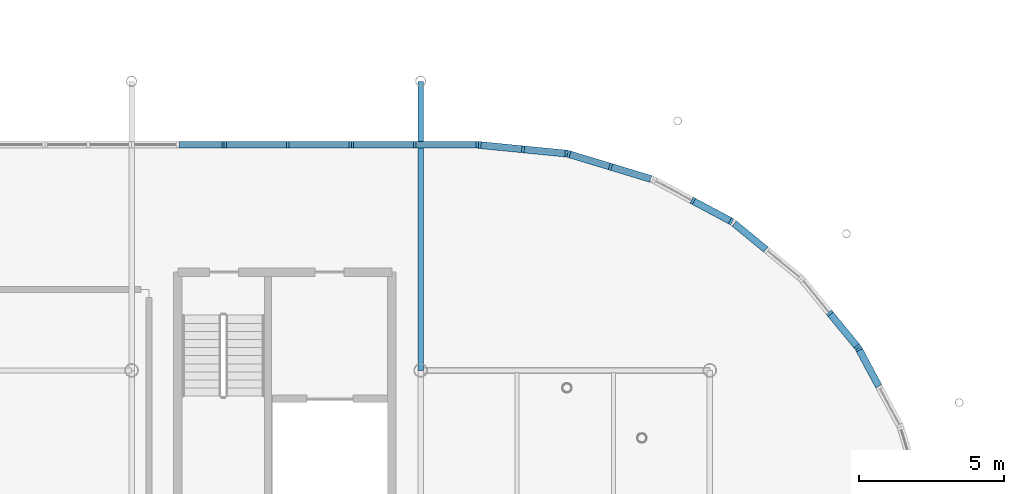
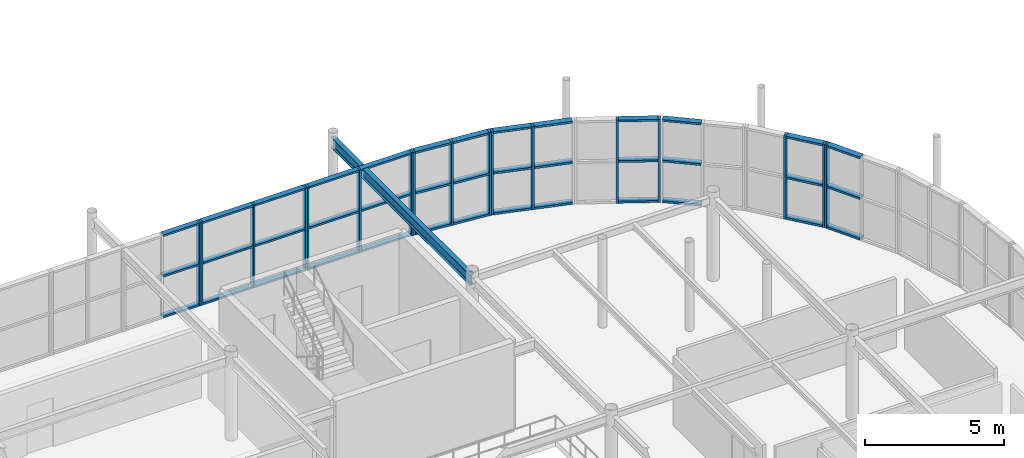
# One storey, part 61 of 98: 56 members, 1 beam, 9 elements without a shape of their own.
"""IFC4 building model written with IfcOpenShell, lengths in metres."""

from ifc_helpers import new_model, si_unit, derived_unit, direction, frame, origin, origin_2d_with_axis, place, context, subcontext, project, spatial, rectangle, i_section, extrude, material, material_profile, profile_set, type_object, element, aggregate, save


model = new_model("IFC4")

# Units and contexts
model_context = context("Model", 3, precision=1e-05, world=origin(), true_north=direction((0.0, 1.0)))
body_context = subcontext(model_context, "Body", "Model", "MODEL_VIEW")
ifc_project = project(units=[si_unit("LENGTHUNIT", "METRE"), si_unit("AREAUNIT", "SQUARE_METRE"), si_unit("VOLUMEUNIT", "CUBIC_METRE"), si_unit("PLANEANGLEUNIT", "RADIAN"), si_unit("MASSUNIT", "GRAM", prefix="KILO"), derived_unit("THERMALTRANSMITTANCEUNIT", [(si_unit("POWERUNIT", "WATT"), 1), (si_unit("LENGTHUNIT", "METRE"), -2), (si_unit("THERMODYNAMICTEMPERATUREUNIT", "KELVIN"), -1)])], contexts=[model_context])

# Site, building, storey
site_placement = place(None, origin())
site = spatial("IfcSite", under=ifc_project, at=site_placement, CompositionType="ELEMENT")
building_placement = place(site_placement, origin())
building = spatial("IfcBuilding", under=site, at=building_placement, Name="Cinnabar Yard Market Hall", CompositionType="ELEMENT")
storey_placement = place(building_placement, frame((0.0, 0.0, 4.5)))
storey = spatial("IfcBuildingStorey", under=building, at=storey_placement, Name="L01", CompositionType="ELEMENT", Elevation=4.5)

# Beam
ifc_material_1 = material(Name="Steel Grade 300 (300 MPa)", Category="steel")
ifc_material_profile_1 = material_profile(ifc_material_1, i_section(OverallWidth=0.18994140625, OverallDepth=0.453857421875, WebThickness=0.008544921875, FlangeThickness=0.0126953125, FilletRadius=0.011474609375, at=origin_2d_with_axis()), Name="460UB67.1")
ifc_profile_set_1 = profile_set([ifc_material_profile_1], Name="Steel Grade 300 (300 MPa)")
beam_type = type_object("IfcBeamType", Name="BM-B05E", PredefinedType="BEAM", material=ifc_profile_set_1)
beam_placement = place(storey_placement, frame((146.0, 64.0, 3.423095703125), z_axis=(0.0, 1.0, 0.0), x_axis=(-1.0, 0.0, 0.0)))
element("IfcBeam", 1, at=beam_placement, inside=storey, type_object=beam_type, Name="L01 Gallery North Tie 00300", PredefinedType="BEAM", context=body_context, shape_type="SweptSolid", body=[
    extrude(i_section(OverallWidth=0.18994140625, OverallDepth=0.453857421875, WebThickness=0.008544921875, FlangeThickness=0.0126953125, FilletRadius=0.011474609375, at=origin_2d_with_axis()), origin(), (0.0, 0.0, 1.0), 10.0),
])

# Curtain wall, member
ifc_material_2 = material(Name="Anodised bronze aluminium curved-chord facade", Category="aluminium")
curtain_wall_type_1 = type_object("IfcCurtainWallType", Name="CW-CWC031x36", PredefinedType="NOTDEFINED", material=ifc_material_2)
curtain_wall_1_placement = place(storey_placement, origin())
curtain_wall_1 = element("IfcCurtainWall", 2, at=curtain_wall_1_placement, inside=storey, type_object=curtain_wall_type_1, Name="Corner NE Chord 3 L01", PredefinedType="NOTDEFINED")
ifc_material_3 = material(Name="Anodised bronze aluminium", Category="aluminium")
ifc_material_profile_2 = material_profile(ifc_material_3, rectangle(XDim=0.239990234375, YDim=0.090087890625, at=origin_2d_with_axis()), Name="MUL-CWC")
ifc_profile_set_2 = profile_set([ifc_material_profile_2], Name="Anodised bronze aluminium")
member_type_1 = type_object("IfcMemberType", Name="CWM-CWC", PredefinedType="MULLION", material=ifc_profile_set_2)
member_1_placement = place(storey_placement, frame((161.158447265625, 64.73828125, 0.0), z_axis=(0.0, 0.0, 1.0), x_axis=(-0.881917320707, -0.471404114786, 0.0)))
member_1 = element("IfcMember", 3, at=member_1_placement, type_object=member_type_1, Name="CWC031x36 mullion 3", PredefinedType="MULLION", context=body_context, shape_type="SweptSolid", body=[
    extrude(rectangle(XDim=0.239990234375, YDim=0.090087890625, at=origin_2d_with_axis()), origin(), (0.0, 0.0, 1.0), 3.64990234375),
])

# Curtain wall, members
curtain_wall_2_placement = place(storey_placement, origin())
curtain_wall_2 = element("IfcCurtainWall", 4, at=curtain_wall_2_placement, inside=storey, type_object=curtain_wall_type_1, Name="Corner NE Chord 4 L01", PredefinedType="NOTDEFINED")
member_2_placement = place(storey_placement, frame((161.108642578125, 64.812744140625, 0.0), z_axis=(0.0, 0.0, 1.0), x_axis=(-0.773018564222, -0.634383400924, 0.0)))
member_2 = element("IfcMember", 5, at=member_2_placement, type_object=member_type_1, Name="CWC031x36 mullion 1", PredefinedType="MULLION", context=body_context, shape_type="SweptSolid", body=[
    extrude(rectangle(XDim=0.239990234375, YDim=0.090087890625, at=origin_2d_with_axis()), origin(), (0.0, 0.0, 1.0), 3.64990234375),
])
member_3_placement = place(storey_placement, frame((160.15478515625, 65.97509765625, 0.0), z_axis=(0.0, 0.0, 1.0), x_axis=(-0.773018564222, -0.634383400924, 0.0)))
member_3 = element("IfcMember", 6, at=member_3_placement, type_object=member_type_1, Name="CWC031x36 mullion 2", PredefinedType="MULLION", context=body_context, shape_type="SweptSolid", body=[
    extrude(rectangle(XDim=0.239990234375, YDim=0.090087890625, at=origin_2d_with_axis()), origin(), (0.0, 0.0, 1.0), 3.64990234375),
])

curtain_wall_3_placement = place(storey_placement, origin())
curtain_wall_3 = element("IfcCurtainWall", 7, at=curtain_wall_3_placement, inside=storey, type_object=curtain_wall_type_1, Name="Corner NE Chord 6 L01", PredefinedType="NOTDEFINED")
member_4_placement = place(storey_placement, frame((156.73828125, 69.158447265625, 0.0), z_axis=(0.0, 0.0, 1.0), x_axis=(-0.471404114786, -0.881917320707, 0.0)))
member_4 = element("IfcMember", 8, at=member_4_placement, type_object=member_type_1, Name="CWC031x36 mullion 1", PredefinedType="MULLION", context=body_context, shape_type="SweptSolid", body=[
    extrude(rectangle(XDim=0.239990234375, YDim=0.090087890625, at=origin_2d_with_axis()), origin(), (0.0, 0.0, 1.0), 3.64990234375),
])
member_5_placement = place(storey_placement, frame((155.412109375, 69.8671875, 0.0), z_axis=(0.0, 0.0, 1.0), x_axis=(-0.471404114786, -0.881917320707, 0.0)))
member_5 = element("IfcMember", 9, at=member_5_placement, type_object=member_type_1, Name="CWC031x36 mullion 2", PredefinedType="MULLION", context=body_context, shape_type="SweptSolid", body=[
    extrude(rectangle(XDim=0.239990234375, YDim=0.090087890625, at=origin_2d_with_axis()), origin(), (0.0, 0.0, 1.0), 3.64990234375),
])

curtain_wall_4_placement = place(storey_placement, origin())
curtain_wall_4 = element("IfcCurtainWall", 10, at=curtain_wall_4_placement, inside=storey, type_object=curtain_wall_type_1, Name="Corner NE Chord 7 L01", PredefinedType="NOTDEFINED")
member_6_placement = place(storey_placement, frame((152.564453125, 71.046875, 0.0), z_axis=(0.0, 0.0, 1.0), x_axis=(-0.290278891325, -0.956942090856, 0.0)))
member_6 = element("IfcMember", 11, at=member_6_placement, type_object=member_type_1, Name="CWC031x36 mullion 2", PredefinedType="MULLION", context=body_context, shape_type="SweptSolid", body=[
    extrude(rectangle(XDim=0.239990234375, YDim=0.090087890625, at=origin_2d_with_axis()), origin(), (0.0, 0.0, 1.0), 3.64990234375),
])
member_7_placement = place(storey_placement, frame((151.12548828125, 71.4833984375, 0.0), z_axis=(0.0, 0.0, 1.0), x_axis=(-0.290278891325, -0.956942090856, 0.0)))
member_7 = element("IfcMember", 12, at=member_7_placement, type_object=member_type_1, Name="CWC031x36 mullion 3", PredefinedType="MULLION", context=body_context, shape_type="SweptSolid", body=[
    extrude(rectangle(XDim=0.239990234375, YDim=0.090087890625, at=origin_2d_with_axis()), origin(), (0.0, 0.0, 1.0), 3.64990234375),
])

curtain_wall_5_placement = place(storey_placement, origin())
curtain_wall_5 = element("IfcCurtainWall", 13, at=curtain_wall_5_placement, inside=storey, type_object=curtain_wall_type_1, Name="Corner NE Chord 8 L01", PredefinedType="NOTDEFINED")
member_8_placement = place(storey_placement, frame((151.03759765625, 71.500732421875, 0.0), z_axis=(0.0, 0.0, 1.0), x_axis=(-0.098020369342, -0.995184408637, 0.0)))
member_8 = element("IfcMember", 14, at=member_8_placement, type_object=member_type_1, Name="CWC031x36 mullion 1", PredefinedType="MULLION", context=body_context, shape_type="SweptSolid", body=[
    extrude(rectangle(XDim=0.239990234375, YDim=0.090087890625, at=origin_2d_with_axis()), origin(), (0.0, 0.0, 1.0), 3.64990234375),
])
member_9_placement = place(storey_placement, frame((149.541259765625, 71.648193359375, 0.0), z_axis=(0.0, 0.0, 1.0), x_axis=(-0.098020369342, -0.995184408637, 0.0)))
member_9 = element("IfcMember", 15, at=member_9_placement, type_object=member_type_1, Name="CWC031x36 mullion 2", PredefinedType="MULLION", context=body_context, shape_type="SweptSolid", body=[
    extrude(rectangle(XDim=0.239990234375, YDim=0.090087890625, at=origin_2d_with_axis()), origin(), (0.0, 0.0, 1.0), 3.64990234375),
])
member_10_placement = place(storey_placement, frame((148.044677734375, 71.795654296875, 0.0), z_axis=(0.0, 0.0, 1.0), x_axis=(-0.098020369342, -0.995184408637, 0.0)))
member_10 = element("IfcMember", 16, at=member_10_placement, type_object=member_type_1, Name="CWC031x36 mullion 3", PredefinedType="MULLION", context=body_context, shape_type="SweptSolid", body=[
    extrude(rectangle(XDim=0.239990234375, YDim=0.090087890625, at=origin_2d_with_axis()), origin(), (0.0, 0.0, 1.0), 3.64990234375),
])

# Curtain wall, member
ifc_material_4 = material(Name="Anodised bronze aluminium and low-E glass", Category="aluminium")
curtain_wall_type_2 = type_object("IfcCurtainWallType", Name="CW-CWH032x36", PredefinedType="NOTDEFINED", material=ifc_material_4)
curtain_wall_6_placement = place(storey_placement, origin())
curtain_wall_6 = element("IfcCurtainWall", 17, at=curtain_wall_6_placement, inside=storey, type_object=curtain_wall_type_2, Name="Market Hall North Gallery Glazing B6A", PredefinedType="NOTDEFINED")
ifc_material_profile_3 = material_profile(ifc_material_3, rectangle(XDim=0.219970703125, YDim=0.080078125, at=origin_2d_with_axis()), Name="MUL-CWH")
ifc_profile_set_3 = profile_set([ifc_material_profile_3], Name="Anodised bronze aluminium")
member_type_2 = type_object("IfcMemberType", Name="CWM-CWH", PredefinedType="MULLION", material=ifc_profile_set_3)
member_11_placement = place(storey_placement, frame((139.159912109375, 71.800048828125, 0.0), z_axis=(0.0, 0.0, 1.0), x_axis=(0.0, -1.0, 0.0)))
member_11 = element("IfcMember", 18, at=member_11_placement, type_object=member_type_2, Name="CWH032x36 mullion 1", PredefinedType="MULLION", context=body_context, shape_type="SweptSolid", body=[
    extrude(rectangle(XDim=0.219970703125, YDim=0.080078125, at=origin_2d_with_axis()), origin(), (0.0, 0.0, 1.0), 3.64990234375),
])

# Curtain wall, members
curtain_wall_type_3 = type_object("IfcCurtainWallType", Name="CW-CWH044x36", PredefinedType="NOTDEFINED", material=ifc_material_4)
curtain_wall_7_placement = place(storey_placement, origin())
curtain_wall_7 = element("IfcCurtainWall", 19, at=curtain_wall_7_placement, inside=storey, type_object=curtain_wall_type_3, Name="Market Hall North Gallery Glazing PTE", PredefinedType="NOTDEFINED")
member_12_placement = place(storey_placement, frame((143.56005859375, 71.800048828125, 0.0), z_axis=(0.0, 0.0, 1.0), x_axis=(0.0, -1.0, 0.0)))
member_12 = element("IfcMember", 20, at=member_12_placement, type_object=member_type_2, Name="CWH044x36 mullion 1", PredefinedType="MULLION", context=body_context, shape_type="SweptSolid", body=[
    extrude(rectangle(XDim=0.219970703125, YDim=0.080078125, at=origin_2d_with_axis()), origin(), (0.0, 0.0, 1.0), 3.64990234375),
])
member_13_placement = place(storey_placement, frame((141.39990234375, 71.800048828125, 0.0), z_axis=(0.0, 0.0, 1.0), x_axis=(0.0, -1.0, 0.0)))
member_13 = element("IfcMember", 21, at=member_13_placement, type_object=member_type_2, Name="CWH044x36 mullion 2", PredefinedType="MULLION", context=body_context, shape_type="SweptSolid", body=[
    extrude(rectangle(XDim=0.219970703125, YDim=0.080078125, at=origin_2d_with_axis()), origin(), (0.0, 0.0, 1.0), 3.64990234375),
])
member_14_placement = place(storey_placement, frame((139.239990234375, 71.800048828125, 0.0), z_axis=(0.0, 0.0, 1.0), x_axis=(0.0, -1.0, 0.0)))
member_14 = element("IfcMember", 22, at=member_14_placement, type_object=member_type_2, Name="CWH044x36 mullion 3", PredefinedType="MULLION", context=body_context, shape_type="SweptSolid", body=[
    extrude(rectangle(XDim=0.219970703125, YDim=0.080078125, at=origin_2d_with_axis()), origin(), (0.0, 0.0, 1.0), 3.64990234375),
])

curtain_wall_8_placement = place(storey_placement, origin())
curtain_wall_8 = element("IfcCurtainWall", 23, at=curtain_wall_8_placement, inside=storey, type_object=curtain_wall_type_3, Name="Market Hall North Gallery Glazing B6B", PredefinedType="NOTDEFINED")
member_15_placement = place(storey_placement, frame((147.9599609375, 71.800048828125, 0.0), z_axis=(0.0, 0.0, 1.0), x_axis=(0.0, -1.0, 0.0)))
member_15 = element("IfcMember", 24, at=member_15_placement, type_object=member_type_2, Name="CWH044x36 mullion 1", PredefinedType="MULLION", context=body_context, shape_type="SweptSolid", body=[
    extrude(rectangle(XDim=0.219970703125, YDim=0.080078125, at=origin_2d_with_axis()), origin(), (0.0, 0.0, 1.0), 3.64990234375),
])
member_16_placement = place(storey_placement, frame((145.800048828125, 71.800048828125, 0.0), z_axis=(0.0, 0.0, 1.0), x_axis=(0.0, -1.0, 0.0)))
member_16 = element("IfcMember", 25, at=member_16_placement, type_object=member_type_2, Name="CWH044x36 mullion 2", PredefinedType="MULLION", context=body_context, shape_type="SweptSolid", body=[
    extrude(rectangle(XDim=0.219970703125, YDim=0.080078125, at=origin_2d_with_axis()), origin(), (0.0, 0.0, 1.0), 3.64990234375),
])
member_17_placement = place(storey_placement, frame((143.639892578125, 71.800048828125, 0.0), z_axis=(0.0, 0.0, 1.0), x_axis=(0.0, -1.0, 0.0)))
member_17 = element("IfcMember", 26, at=member_17_placement, type_object=member_type_2, Name="CWH044x36 mullion 3", PredefinedType="MULLION", context=body_context, shape_type="SweptSolid", body=[
    extrude(rectangle(XDim=0.219970703125, YDim=0.080078125, at=origin_2d_with_axis()), origin(), (0.0, 0.0, 1.0), 3.64990234375),
])

# Member
ifc_material_profile_4 = material_profile(ifc_material_3, rectangle(XDim=0.239990234375, YDim=0.090087890625, at=origin_2d_with_axis()), Name="TRN-CWC")
ifc_profile_set_4 = profile_set([ifc_material_profile_4], Name="Anodised bronze aluminium")
member_type_3 = type_object("IfcMemberType", Name="CWT-CWC", PredefinedType="USERDEFINED", material=ifc_profile_set_4)
member_18_placement = place(storey_placement, frame((161.845947265625, 63.451904296875, 0.044921875), z_axis=(-0.471296210365, 0.881974989496, 0.0), x_axis=(-0.881974989496, -0.471296210365, 0.0)))
member_18 = element("IfcMember", 27, at=member_18_placement, type_object=member_type_3, Name="CWC031x36 transom 2.1", ObjectType="TRANSOM", PredefinedType="USERDEFINED", context=body_context, shape_type="SweptSolid", body=[
    extrude(rectangle(XDim=0.239990234375, YDim=0.090087890625, at=origin_2d_with_axis()), origin(), (0.0, 0.0, 1.0), 1.41357421875),
])

member_19_placement = place(storey_placement, frame((161.845947265625, 63.451904296875, 1.824951171875), z_axis=(-0.471296210365, 0.881974989496, 0.0), x_axis=(-0.881974989496, -0.471296210365, 0.0)))
member_19 = element("IfcMember", 28, at=member_19_placement, type_object=member_type_3, Name="CWC031x36 transom 2.2", ObjectType="TRANSOM", PredefinedType="USERDEFINED", context=body_context, shape_type="SweptSolid", body=[
    extrude(rectangle(XDim=0.239990234375, YDim=0.090087890625, at=origin_2d_with_axis()), origin(), (0.0, 0.0, 1.0), 1.41357421875),
])

member_20_placement = place(storey_placement, frame((161.845947265625, 63.451904296875, 3.60498046875), z_axis=(-0.471296210365, 0.881974989496, 0.0), x_axis=(-0.881974989496, -0.471296210365, 0.0)))
member_20 = element("IfcMember", 29, at=member_20_placement, type_object=member_type_3, Name="CWC031x36 transom 2.3", ObjectType="TRANSOM", PredefinedType="USERDEFINED", context=body_context, shape_type="SweptSolid", body=[
    extrude(rectangle(XDim=0.239990234375, YDim=0.090087890625, at=origin_2d_with_axis()), origin(), (0.0, 0.0, 1.0), 1.41357421875),
])

aggregate(curtain_wall_1, [member_1, member_18, member_19, member_20])

member_21_placement = place(storey_placement, frame((161.080078125, 64.84765625, 0.044921875), z_axis=(-0.634356309919, 0.773040795861, 0.0), x_axis=(-0.773040795861, -0.634356309919, 0.0)))
member_21 = element("IfcMember", 30, at=member_21_placement, type_object=member_type_3, Name="CWC031x36 transom 1.1", ObjectType="TRANSOM", PredefinedType="USERDEFINED", context=body_context, shape_type="SweptSolid", body=[
    extrude(rectangle(XDim=0.239990234375, YDim=0.090087890625, at=origin_2d_with_axis()), origin(), (0.0, 0.0, 1.0), 1.41357421875),
])

member_22_placement = place(storey_placement, frame((161.080078125, 64.84765625, 1.824951171875), z_axis=(-0.634356309919, 0.773040795861, 0.0), x_axis=(-0.773040795861, -0.634356309919, 0.0)))
member_22 = element("IfcMember", 31, at=member_22_placement, type_object=member_type_3, Name="CWC031x36 transom 1.2", ObjectType="TRANSOM", PredefinedType="USERDEFINED", context=body_context, shape_type="SweptSolid", body=[
    extrude(rectangle(XDim=0.239990234375, YDim=0.090087890625, at=origin_2d_with_axis()), origin(), (0.0, 0.0, 1.0), 1.41357421875),
])

member_23_placement = place(storey_placement, frame((161.080078125, 64.84765625, 3.60498046875), z_axis=(-0.634356309919, 0.773040795861, 0.0), x_axis=(-0.773040795861, -0.634356309919, 0.0)))
member_23 = element("IfcMember", 32, at=member_23_placement, type_object=member_type_3, Name="CWC031x36 transom 1.3", ObjectType="TRANSOM", PredefinedType="USERDEFINED", context=body_context, shape_type="SweptSolid", body=[
    extrude(rectangle(XDim=0.239990234375, YDim=0.090087890625, at=origin_2d_with_axis()), origin(), (0.0, 0.0, 1.0), 1.41357421875),
])

aggregate(curtain_wall_2, [member_2, member_3, member_21, member_22, member_23])

# Curtain wall, members
curtain_wall_9_placement = place(storey_placement, origin())
curtain_wall_9 = element("IfcCurtainWall", 33, at=curtain_wall_9_placement, inside=storey, type_object=curtain_wall_type_1, Name="Corner NE Chord 5 L01", PredefinedType="NOTDEFINED")
member_24_placement = place(storey_placement, frame((157.9404296875, 68.183349609375, 0.044921875), z_axis=(-0.773040795861, 0.634356309919, 0.0), x_axis=(-0.634356309919, -0.773040795861, 0.0)))
member_24 = element("IfcMember", 34, at=member_24_placement, type_object=member_type_3, Name="CWC031x36 transom 2.1", ObjectType="TRANSOM", PredefinedType="USERDEFINED", context=body_context, shape_type="SweptSolid", body=[
    extrude(rectangle(XDim=0.239990234375, YDim=0.090087890625, at=origin_2d_with_axis()), origin(), (0.0, 0.0, 1.0), 1.41357421875),
])
member_25_placement = place(storey_placement, frame((157.9404296875, 68.183349609375, 1.824951171875), z_axis=(-0.773040795861, 0.634356309919, 0.0), x_axis=(-0.634356309919, -0.773040795861, 0.0)))
member_25 = element("IfcMember", 35, at=member_25_placement, type_object=member_type_3, Name="CWC031x36 transom 2.2", ObjectType="TRANSOM", PredefinedType="USERDEFINED", context=body_context, shape_type="SweptSolid", body=[
    extrude(rectangle(XDim=0.239990234375, YDim=0.090087890625, at=origin_2d_with_axis()), origin(), (0.0, 0.0, 1.0), 1.41357421875),
])
member_26_placement = place(storey_placement, frame((157.9404296875, 68.183349609375, 3.60498046875), z_axis=(-0.773040795861, 0.634356309919, 0.0), x_axis=(-0.634356309919, -0.773040795861, 0.0)))
member_26 = element("IfcMember", 36, at=member_26_placement, type_object=member_type_3, Name="CWC031x36 transom 2.3", ObjectType="TRANSOM", PredefinedType="USERDEFINED", context=body_context, shape_type="SweptSolid", body=[
    extrude(rectangle(XDim=0.239990234375, YDim=0.090087890625, at=origin_2d_with_axis()), origin(), (0.0, 0.0, 1.0), 1.41357421875),
])
aggregate(curtain_wall_9, [member_24, member_25, member_26])

# Member
member_27_placement = place(storey_placement, frame((156.69873046875, 69.1796875, 0.044921875), z_axis=(-0.881974989496, 0.471296210365, 0.0), x_axis=(-0.471296210365, -0.881974989496, 0.0)))
member_27 = element("IfcMember", 37, at=member_27_placement, type_object=member_type_3, Name="CWC031x36 transom 1.1", ObjectType="TRANSOM", PredefinedType="USERDEFINED", context=body_context, shape_type="SweptSolid", body=[
    extrude(rectangle(XDim=0.239990234375, YDim=0.090087890625, at=origin_2d_with_axis()), origin(), (0.0, 0.0, 1.0), 1.41357421875),
])

member_28_placement = place(storey_placement, frame((156.69873046875, 69.1796875, 1.824951171875), z_axis=(-0.881974989496, 0.471296210365, 0.0), x_axis=(-0.471296210365, -0.881974989496, 0.0)))
member_28 = element("IfcMember", 38, at=member_28_placement, type_object=member_type_3, Name="CWC031x36 transom 1.2", ObjectType="TRANSOM", PredefinedType="USERDEFINED", context=body_context, shape_type="SweptSolid", body=[
    extrude(rectangle(XDim=0.239990234375, YDim=0.090087890625, at=origin_2d_with_axis()), origin(), (0.0, 0.0, 1.0), 1.41357421875),
])

member_29_placement = place(storey_placement, frame((156.69873046875, 69.1796875, 3.60498046875), z_axis=(-0.881974989496, 0.471296210365, 0.0), x_axis=(-0.471296210365, -0.881974989496, 0.0)))
member_29 = element("IfcMember", 39, at=member_29_placement, type_object=member_type_3, Name="CWC031x36 transom 1.3", ObjectType="TRANSOM", PredefinedType="USERDEFINED", context=body_context, shape_type="SweptSolid", body=[
    extrude(rectangle(XDim=0.239990234375, YDim=0.090087890625, at=origin_2d_with_axis()), origin(), (0.0, 0.0, 1.0), 1.41357421875),
])

aggregate(curtain_wall_3, [member_4, member_5, member_27, member_28, member_29])

member_30_placement = place(storey_placement, frame((153.960205078125, 70.62353515625, 0.044921875), z_axis=(-0.956980816915, 0.290151195166, 0.0), x_axis=(-0.290151195166, -0.956980816915, 0.0)))
member_30 = element("IfcMember", 40, at=member_30_placement, type_object=member_type_3, Name="CWC031x36 transom 1.1", ObjectType="TRANSOM", PredefinedType="USERDEFINED", context=body_context, shape_type="SweptSolid", body=[
    extrude(rectangle(XDim=0.239990234375, YDim=0.090087890625, at=origin_2d_with_axis()), origin(), (0.0, 0.0, 1.0), 1.41357421875),
])

member_31_placement = place(storey_placement, frame((153.960205078125, 70.62353515625, 1.824951171875), z_axis=(-0.956980816915, 0.290151195166, 0.0), x_axis=(-0.290151195166, -0.956980816915, 0.0)))
member_31 = element("IfcMember", 41, at=member_31_placement, type_object=member_type_3, Name="CWC031x36 transom 1.2", ObjectType="TRANSOM", PredefinedType="USERDEFINED", context=body_context, shape_type="SweptSolid", body=[
    extrude(rectangle(XDim=0.239990234375, YDim=0.090087890625, at=origin_2d_with_axis()), origin(), (0.0, 0.0, 1.0), 1.41357421875),
])

member_32_placement = place(storey_placement, frame((153.960205078125, 70.62353515625, 3.60498046875), z_axis=(-0.956980816915, 0.290151195166, 0.0), x_axis=(-0.290151195166, -0.956980816915, 0.0)))
member_32 = element("IfcMember", 42, at=member_32_placement, type_object=member_type_3, Name="CWC031x36 transom 1.3", ObjectType="TRANSOM", PredefinedType="USERDEFINED", context=body_context, shape_type="SweptSolid", body=[
    extrude(rectangle(XDim=0.239990234375, YDim=0.090087890625, at=origin_2d_with_axis()), origin(), (0.0, 0.0, 1.0), 1.41357421875),
])

member_33_placement = place(storey_placement, frame((152.521240234375, 71.059814453125, 0.044921875), z_axis=(-0.956932850279, 0.290309352341, 0.0), x_axis=(-0.290309352341, -0.956932850279, 0.0)))
member_33 = element("IfcMember", 43, at=member_33_placement, type_object=member_type_3, Name="CWC031x36 transom 2.1", ObjectType="TRANSOM", PredefinedType="USERDEFINED", context=body_context, shape_type="SweptSolid", body=[
    extrude(rectangle(XDim=0.239990234375, YDim=0.090087890625, at=origin_2d_with_axis()), origin(), (0.0, 0.0, 1.0), 1.41357421875),
])

member_34_placement = place(storey_placement, frame((152.521240234375, 71.059814453125, 1.824951171875), z_axis=(-0.956932850279, 0.290309352341, 0.0), x_axis=(-0.290309352341, -0.956932850279, 0.0)))
member_34 = element("IfcMember", 44, at=member_34_placement, type_object=member_type_3, Name="CWC031x36 transom 2.2", ObjectType="TRANSOM", PredefinedType="USERDEFINED", context=body_context, shape_type="SweptSolid", body=[
    extrude(rectangle(XDim=0.239990234375, YDim=0.090087890625, at=origin_2d_with_axis()), origin(), (0.0, 0.0, 1.0), 1.41357421875),
])

member_35_placement = place(storey_placement, frame((152.521240234375, 71.059814453125, 3.60498046875), z_axis=(-0.956932850279, 0.290309352341, 0.0), x_axis=(-0.290309352341, -0.956932850279, 0.0)))
member_35 = element("IfcMember", 45, at=member_35_placement, type_object=member_type_3, Name="CWC031x36 transom 2.3", ObjectType="TRANSOM", PredefinedType="USERDEFINED", context=body_context, shape_type="SweptSolid", body=[
    extrude(rectangle(XDim=0.239990234375, YDim=0.090087890625, at=origin_2d_with_axis()), origin(), (0.0, 0.0, 1.0), 1.41357421875),
])

aggregate(curtain_wall_4, [member_6, member_7, member_30, member_31, member_32, member_33, member_34, member_35])

member_36_placement = place(storey_placement, frame((150.992919921875, 71.505126953125, 0.044921875), z_axis=(-0.995178086946, 0.098084531214, 0.0), x_axis=(-0.098084531214, -0.995178086946, 0.0)))
member_36 = element("IfcMember", 46, at=member_36_placement, type_object=member_type_3, Name="CWC031x36 transom 1.1", ObjectType="TRANSOM", PredefinedType="USERDEFINED", context=body_context, shape_type="SweptSolid", body=[
    extrude(rectangle(XDim=0.239990234375, YDim=0.090087890625, at=origin_2d_with_axis()), origin(), (0.0, 0.0, 1.0), 1.413818359375),
])

member_37_placement = place(storey_placement, frame((150.992919921875, 71.505126953125, 1.824951171875), z_axis=(-0.995178086946, 0.098084531214, 0.0), x_axis=(-0.098084531214, -0.995178086946, 0.0)))
member_37 = element("IfcMember", 47, at=member_37_placement, type_object=member_type_3, Name="CWC031x36 transom 1.2", ObjectType="TRANSOM", PredefinedType="USERDEFINED", context=body_context, shape_type="SweptSolid", body=[
    extrude(rectangle(XDim=0.239990234375, YDim=0.090087890625, at=origin_2d_with_axis()), origin(), (0.0, 0.0, 1.0), 1.413818359375),
])

member_38_placement = place(storey_placement, frame((150.992919921875, 71.505126953125, 3.60498046875), z_axis=(-0.995178086946, 0.098084531214, 0.0), x_axis=(-0.098084531214, -0.995178086946, 0.0)))
member_38 = element("IfcMember", 48, at=member_38_placement, type_object=member_type_3, Name="CWC031x36 transom 1.3", ObjectType="TRANSOM", PredefinedType="USERDEFINED", context=body_context, shape_type="SweptSolid", body=[
    extrude(rectangle(XDim=0.239990234375, YDim=0.090087890625, at=origin_2d_with_axis()), origin(), (0.0, 0.0, 1.0), 1.413818359375),
])

member_39_placement = place(storey_placement, frame((149.496337890625, 71.652587890625, 0.044921875), z_axis=(-0.995176425197, 0.098101390058, 0.0), x_axis=(-0.098101390058, -0.995176425197, 0.0)))
member_39 = element("IfcMember", 49, at=member_39_placement, type_object=member_type_3, Name="CWC031x36 transom 2.1", ObjectType="TRANSOM", PredefinedType="USERDEFINED", context=body_context, shape_type="SweptSolid", body=[
    extrude(rectangle(XDim=0.239990234375, YDim=0.090087890625, at=origin_2d_with_axis()), origin(), (0.0, 0.0, 1.0), 1.41357421875),
])

member_40_placement = place(storey_placement, frame((149.496337890625, 71.652587890625, 1.824951171875), z_axis=(-0.995176425197, 0.098101390058, 0.0), x_axis=(-0.098101390058, -0.995176425197, 0.0)))
member_40 = element("IfcMember", 50, at=member_40_placement, type_object=member_type_3, Name="CWC031x36 transom 2.2", ObjectType="TRANSOM", PredefinedType="USERDEFINED", context=body_context, shape_type="SweptSolid", body=[
    extrude(rectangle(XDim=0.239990234375, YDim=0.090087890625, at=origin_2d_with_axis()), origin(), (0.0, 0.0, 1.0), 1.41357421875),
])

member_41_placement = place(storey_placement, frame((149.496337890625, 71.652587890625, 3.60498046875), z_axis=(-0.995176425197, 0.098101390058, 0.0), x_axis=(-0.098101390058, -0.995176425197, 0.0)))
member_41 = element("IfcMember", 51, at=member_41_placement, type_object=member_type_3, Name="CWC031x36 transom 2.3", ObjectType="TRANSOM", PredefinedType="USERDEFINED", context=body_context, shape_type="SweptSolid", body=[
    extrude(rectangle(XDim=0.239990234375, YDim=0.090087890625, at=origin_2d_with_axis()), origin(), (0.0, 0.0, 1.0), 1.41357421875),
])

aggregate(curtain_wall_5, [member_8, member_9, member_10, member_36, member_37, member_38, member_39, member_40, member_41])

ifc_material_profile_5 = material_profile(ifc_material_3, rectangle(XDim=0.219970703125, YDim=0.080078125, at=origin_2d_with_axis()), Name="TRN-CWH")
ifc_profile_set_5 = profile_set([ifc_material_profile_5], Name="Anodised bronze aluminium")
member_type_4 = type_object("IfcMemberType", Name="CWT-CWH", PredefinedType="USERDEFINED", material=ifc_profile_set_5)
member_42_placement = place(storey_placement, frame((139.1201171875, 71.800048828125, 0.0400390625), z_axis=(-1.0, 0.0, 0.0), x_axis=(0.0, -1.0, 0.0)))
member_42 = element("IfcMember", 52, at=member_42_placement, type_object=member_type_4, Name="CWH032x36 transom 1.1", ObjectType="TRANSOM", PredefinedType="USERDEFINED", context=body_context, shape_type="SweptSolid", body=[
    extrude(rectangle(XDim=0.219970703125, YDim=0.080078125, at=origin_2d_with_axis()), origin(), (0.0, 0.0, 1.0), 1.480224609375),
])

member_43_placement = place(storey_placement, frame((139.1201171875, 71.800048828125, 1.824951171875), z_axis=(-1.0, 0.0, 0.0), x_axis=(0.0, -1.0, 0.0)))
member_43 = element("IfcMember", 53, at=member_43_placement, type_object=member_type_4, Name="CWH032x36 transom 1.2", ObjectType="TRANSOM", PredefinedType="USERDEFINED", context=body_context, shape_type="SweptSolid", body=[
    extrude(rectangle(XDim=0.219970703125, YDim=0.080078125, at=origin_2d_with_axis()), origin(), (0.0, 0.0, 1.0), 1.480224609375),
])

member_44_placement = place(storey_placement, frame((139.1201171875, 71.800048828125, 3.610107421875), z_axis=(-1.0, 0.0, 0.0), x_axis=(0.0, -1.0, 0.0)))
member_44 = element("IfcMember", 54, at=member_44_placement, type_object=member_type_4, Name="CWH032x36 transom 1.3", ObjectType="TRANSOM", PredefinedType="USERDEFINED", context=body_context, shape_type="SweptSolid", body=[
    extrude(rectangle(XDim=0.219970703125, YDim=0.080078125, at=origin_2d_with_axis()), origin(), (0.0, 0.0, 1.0), 1.480224609375),
])

aggregate(curtain_wall_6, [member_11, member_42, member_43, member_44])

member_45_placement = place(storey_placement, frame((143.52001953125, 71.800048828125, 0.0400390625), z_axis=(-1.0, 0.0, 0.0), x_axis=(0.0, -1.0, 0.0)))
member_45 = element("IfcMember", 55, at=member_45_placement, type_object=member_type_4, Name="CWH044x36 transom 1.1", ObjectType="TRANSOM", PredefinedType="USERDEFINED", context=body_context, shape_type="SweptSolid", body=[
    extrude(rectangle(XDim=0.219970703125, YDim=0.080078125, at=origin_2d_with_axis()), origin(), (0.0, 0.0, 1.0), 2.080078125),
])

member_46_placement = place(storey_placement, frame((143.52001953125, 71.800048828125, 1.824951171875), z_axis=(-1.0, 0.0, 0.0), x_axis=(0.0, -1.0, 0.0)))
member_46 = element("IfcMember", 56, at=member_46_placement, type_object=member_type_4, Name="CWH044x36 transom 1.2", ObjectType="TRANSOM", PredefinedType="USERDEFINED", context=body_context, shape_type="SweptSolid", body=[
    extrude(rectangle(XDim=0.219970703125, YDim=0.080078125, at=origin_2d_with_axis()), origin(), (0.0, 0.0, 1.0), 2.080078125),
])

member_47_placement = place(storey_placement, frame((143.52001953125, 71.800048828125, 3.610107421875), z_axis=(-1.0, 0.0, 0.0), x_axis=(0.0, -1.0, 0.0)))
member_47 = element("IfcMember", 57, at=member_47_placement, type_object=member_type_4, Name="CWH044x36 transom 1.3", ObjectType="TRANSOM", PredefinedType="USERDEFINED", context=body_context, shape_type="SweptSolid", body=[
    extrude(rectangle(XDim=0.219970703125, YDim=0.080078125, at=origin_2d_with_axis()), origin(), (0.0, 0.0, 1.0), 2.080078125),
])

member_48_placement = place(storey_placement, frame((141.360107421875, 71.800048828125, 0.0400390625), z_axis=(-1.0, 0.0, 0.0), x_axis=(0.0, -1.0, 0.0)))
member_48 = element("IfcMember", 58, at=member_48_placement, type_object=member_type_4, Name="CWH044x36 transom 2.1", ObjectType="TRANSOM", PredefinedType="USERDEFINED", context=body_context, shape_type="SweptSolid", body=[
    extrude(rectangle(XDim=0.219970703125, YDim=0.080078125, at=origin_2d_with_axis()), origin(), (0.0, 0.0, 1.0), 2.080078125),
])

member_49_placement = place(storey_placement, frame((141.360107421875, 71.800048828125, 1.824951171875), z_axis=(-1.0, 0.0, 0.0), x_axis=(0.0, -1.0, 0.0)))
member_49 = element("IfcMember", 59, at=member_49_placement, type_object=member_type_4, Name="CWH044x36 transom 2.2", ObjectType="TRANSOM", PredefinedType="USERDEFINED", context=body_context, shape_type="SweptSolid", body=[
    extrude(rectangle(XDim=0.219970703125, YDim=0.080078125, at=origin_2d_with_axis()), origin(), (0.0, 0.0, 1.0), 2.080078125),
])

member_50_placement = place(storey_placement, frame((141.360107421875, 71.800048828125, 3.610107421875), z_axis=(-1.0, 0.0, 0.0), x_axis=(0.0, -1.0, 0.0)))
member_50 = element("IfcMember", 60, at=member_50_placement, type_object=member_type_4, Name="CWH044x36 transom 2.3", ObjectType="TRANSOM", PredefinedType="USERDEFINED", context=body_context, shape_type="SweptSolid", body=[
    extrude(rectangle(XDim=0.219970703125, YDim=0.080078125, at=origin_2d_with_axis()), origin(), (0.0, 0.0, 1.0), 2.080078125),
])

aggregate(curtain_wall_7, [member_12, member_13, member_14, member_45, member_46, member_47, member_48, member_49, member_50])

member_51_placement = place(storey_placement, frame((147.919921875, 71.800048828125, 0.0400390625), z_axis=(-1.0, 0.0, 0.0), x_axis=(0.0, -1.0, 0.0)))
member_51 = element("IfcMember", 61, at=member_51_placement, type_object=member_type_4, Name="CWH044x36 transom 1.1", ObjectType="TRANSOM", PredefinedType="USERDEFINED", context=body_context, shape_type="SweptSolid", body=[
    extrude(rectangle(XDim=0.219970703125, YDim=0.080078125, at=origin_2d_with_axis()), origin(), (0.0, 0.0, 1.0), 2.079833984375),
])

member_52_placement = place(storey_placement, frame((147.919921875, 71.800048828125, 1.824951171875), z_axis=(-1.0, 0.0, 0.0), x_axis=(0.0, -1.0, 0.0)))
member_52 = element("IfcMember", 62, at=member_52_placement, type_object=member_type_4, Name="CWH044x36 transom 1.2", ObjectType="TRANSOM", PredefinedType="USERDEFINED", context=body_context, shape_type="SweptSolid", body=[
    extrude(rectangle(XDim=0.219970703125, YDim=0.080078125, at=origin_2d_with_axis()), origin(), (0.0, 0.0, 1.0), 2.079833984375),
])

member_53_placement = place(storey_placement, frame((147.919921875, 71.800048828125, 3.610107421875), z_axis=(-1.0, 0.0, 0.0), x_axis=(0.0, -1.0, 0.0)))
member_53 = element("IfcMember", 63, at=member_53_placement, type_object=member_type_4, Name="CWH044x36 transom 1.3", ObjectType="TRANSOM", PredefinedType="USERDEFINED", context=body_context, shape_type="SweptSolid", body=[
    extrude(rectangle(XDim=0.219970703125, YDim=0.080078125, at=origin_2d_with_axis()), origin(), (0.0, 0.0, 1.0), 2.079833984375),
])

member_54_placement = place(storey_placement, frame((145.760009765625, 71.800048828125, 0.0400390625), z_axis=(-1.0, 0.0, 0.0), x_axis=(0.0, -1.0, 0.0)))
member_54 = element("IfcMember", 64, at=member_54_placement, type_object=member_type_4, Name="CWH044x36 transom 2.1", ObjectType="TRANSOM", PredefinedType="USERDEFINED", context=body_context, shape_type="SweptSolid", body=[
    extrude(rectangle(XDim=0.219970703125, YDim=0.080078125, at=origin_2d_with_axis()), origin(), (0.0, 0.0, 1.0), 2.080078125),
])

member_55_placement = place(storey_placement, frame((145.760009765625, 71.800048828125, 1.824951171875), z_axis=(-1.0, 0.0, 0.0), x_axis=(0.0, -1.0, 0.0)))
member_55 = element("IfcMember", 65, at=member_55_placement, type_object=member_type_4, Name="CWH044x36 transom 2.2", ObjectType="TRANSOM", PredefinedType="USERDEFINED", context=body_context, shape_type="SweptSolid", body=[
    extrude(rectangle(XDim=0.219970703125, YDim=0.080078125, at=origin_2d_with_axis()), origin(), (0.0, 0.0, 1.0), 2.080078125),
])

member_56_placement = place(storey_placement, frame((145.760009765625, 71.800048828125, 3.610107421875), z_axis=(-1.0, 0.0, 0.0), x_axis=(0.0, -1.0, 0.0)))
member_56 = element("IfcMember", 66, at=member_56_placement, type_object=member_type_4, Name="CWH044x36 transom 2.3", ObjectType="TRANSOM", PredefinedType="USERDEFINED", context=body_context, shape_type="SweptSolid", body=[
    extrude(rectangle(XDim=0.219970703125, YDim=0.080078125, at=origin_2d_with_axis()), origin(), (0.0, 0.0, 1.0), 2.080078125),
])

aggregate(curtain_wall_8, [member_15, member_16, member_17, member_51, member_52, member_53, member_54, member_55, member_56])

save(model, "model.ifc")
